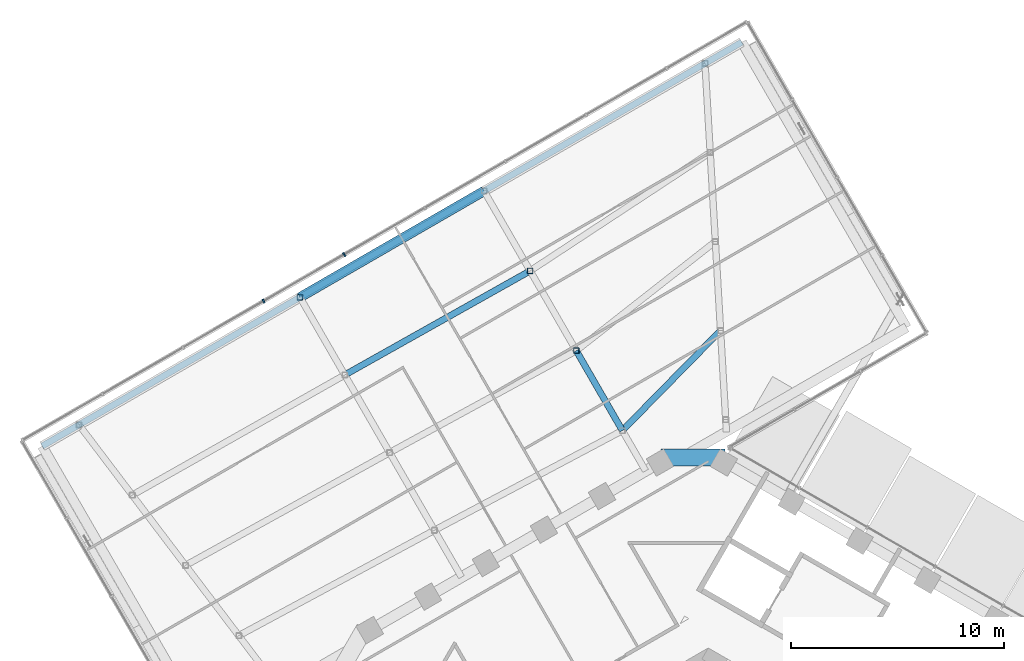
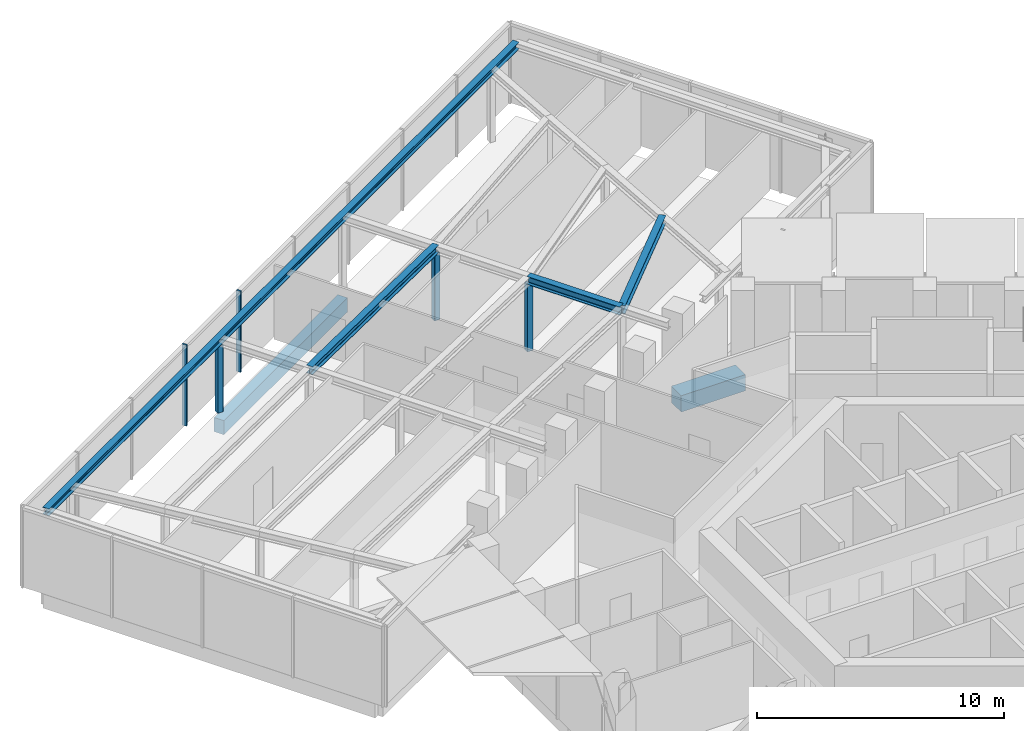
# One storey, part 6 of 27: 6 beams, 5 members, 1 element without a shape of its own.
"""IFC4 building model written with IfcOpenShell, lengths in metres."""

from ifc_helpers import new_model, si_unit, direction, frame, origin, origin_2d, place, context, subcontext, project, spatial, rectangle, hollow_rectangle, i_section, extrude, material, layer, layer_set, material_profile, profile_set, type_object, element, aggregate, save


model = new_model("IFC4")

# Units and contexts
model_context = context("Model", 3, precision=1e-05, world=origin(), true_north=direction((0.0, 1.0)))
body_context = subcontext(model_context, "Body", "Model", "MODEL_VIEW")
ifc_project = project(units=[si_unit("LENGTHUNIT", "METRE"), si_unit("AREAUNIT", "SQUARE_METRE"), si_unit("VOLUMEUNIT", "CUBIC_METRE"), si_unit("PLANEANGLEUNIT", "RADIAN"), si_unit("MASSUNIT", "GRAM", prefix="KILO")], contexts=[model_context])

# Site, building, storey
site_placement = place(None, origin())
site = spatial("IfcSite", under=ifc_project, at=site_placement, CompositionType="ELEMENT")
building_placement = place(site_placement, origin())
building = spatial("IfcBuilding", under=site, at=building_placement, Name="Ayvan Gate Tower", CompositionType="ELEMENT")
storey_placement = place(building_placement, frame((0.0, 0.0, 194.699951171875)))
storey = spatial("IfcBuildingStorey", under=building, at=storey_placement, Name="L52", CompositionType="ELEMENT", Elevation=194.699951171875)

# Beams
ifc_material_1 = material(Name="Concrete C40/50", Category="concrete")
ifc_material_profile_1 = material_profile(ifc_material_1, rectangle(XDim=0.800048828125, YDim=0.800048828125, at=origin_2d()), Name="RC 800x800")
ifc_profile_set_1 = profile_set([ifc_material_profile_1], Name="Concrete C40/50")
beam_type_1 = type_object("IfcBeamType", Name="Corner spandrel beam RC 800x800 C40/50", PredefinedType="BEAM", material=ifc_profile_set_1)
beam_1_placement = place(storey_placement, frame((0.78076171875, 19.938720703125, -0.800048828125), z_axis=(-1.0, 0.0, 0.0), x_axis=(0.0, -1.0, 0.0)))
element("IfcBeam", 1, at=beam_1_placement, inside=storey, type_object=beam_type_1, Name="SB-L52-12", PredefinedType="BEAM", context=body_context, shape_type="SweptSolid", body=[
    extrude(rectangle(XDim=0.800048828125, YDim=0.800048828125, at=origin_2d()), origin(), (0.0, 0.0, 1.0), 3.0),
])
ifc_material_profile_2 = material_profile(ifc_material_1, rectangle(XDim=0.449951171875, YDim=0.699951171875, at=origin_2d()), Name="RC 450x700")
ifc_profile_set_2 = profile_set([ifc_material_profile_2], Name="Concrete C40/50")
beam_type_2 = type_object("IfcBeamType", Name="Sky bar edge beam RC 450x700 C40/50", PredefinedType="BEAM", material=ifc_profile_set_2)
beam_2_placement = place(storey_placement, frame((-19.204833984375, 27.463623046875, -0.75), z_axis=(0.866029062534, 0.499993662806, 0.0), x_axis=(-0.499993662806, 0.866029062534, 0.0)))
element("IfcBeam", 2, at=beam_2_placement, inside=storey, type_object=beam_type_2, Name="EB-B4-L52-5", PredefinedType="BEAM", context=body_context, shape_type="SweptSolid", body=[
    extrude(rectangle(XDim=0.449951171875, YDim=0.699951171875, at=origin_2d()), origin(), (0.0, 0.0, 1.0), 10.000244140625),
])
ifc_material_2 = material(Name="Steel S460ML", Category="steel")
ifc_material_profile_3 = material_profile(ifc_material_2, i_section(OverallWidth=0.300048828125, OverallDepth=0.39990234375, WebThickness=0.013427734375, FlangeThickness=0.02392578125, FilletRadius=0.027099609375, at=origin_2d()), Name="HE 400 B")
ifc_profile_set_3 = profile_set([ifc_material_profile_3], Name="Steel S460ML")
beam_type_3 = type_object("IfcBeamType", Name="Sky bar roof beam B4 HE 400 B", PredefinedType="BEAM", material=ifc_profile_set_3)
beam_3_placement = place(storey_placement, frame((-4.039306640625, 21.1962890625, 3.5), z_axis=(-0.50002621184, 0.866010269842, 0.0), x_axis=(-0.866010269842, -0.50002621184, 0.0)))
element("IfcBeam", 3, at=beam_3_placement, inside=storey, type_object=beam_type_3, Name="RB-B4-SBT4-2-2", PredefinedType="BEAM", context=body_context, shape_type="SweptSolid", body=[
    extrude(i_section(OverallWidth=0.300048828125, OverallDepth=0.39990234375, WebThickness=0.013427734375, FlangeThickness=0.02392578125, FilletRadius=0.027099609375, at=origin_2d()), origin(), (0.0, 0.0, 1.0), 4.336669921875),
])
beam_4_placement = place(storey_placement, frame((0.578125, 25.8984375, 3.5), z_axis=(-0.700650095579, -0.713505041023, 0.0), x_axis=(0.713505041023, -0.700650095579, 0.0)))
element("IfcBeam", 4, at=beam_4_placement, inside=storey, type_object=beam_type_3, Name="RX-B4-12-4", PredefinedType="BEAM", context=body_context, shape_type="SweptSolid", body=[
    extrude(i_section(OverallWidth=0.300048828125, OverallDepth=0.39990234375, WebThickness=0.013427734375, FlangeThickness=0.02392578125, FilletRadius=0.027099609375, at=origin_2d()), origin(), (0.0, 0.0, 1.0), 6.59033203125),
])
beam_5_placement = place(storey_placement, frame((-8.3759765625, 28.707763671875, 3.5), z_axis=(-0.871944293884, -0.489605094298, 0.0), x_axis=(0.489605094298, -0.871944293884, 0.0)))
element("IfcBeam", 5, at=beam_5_placement, inside=storey, type_object=beam_type_3, Name="RX-B4-23-2", PredefinedType="BEAM", context=body_context, shape_type="SweptSolid", body=[
    extrude(i_section(OverallWidth=0.300048828125, OverallDepth=0.39990234375, WebThickness=0.013427734375, FlangeThickness=0.02392578125, FilletRadius=0.027099609375, at=origin_2d()), origin(), (0.0, 0.0, 1.0), 10.0009765625),
])
ifc_material_profile_4 = material_profile(ifc_material_2, i_section(OverallWidth=0.300048828125, OverallDepth=0.340087890625, WebThickness=0.011962890625, FlangeThickness=0.021484375, FilletRadius=0.027099609375, at=origin_2d()), Name="HE 340 B")
ifc_profile_set_4 = profile_set([ifc_material_profile_4], Name="Steel S460ML")
beam_type_4 = type_object("IfcBeamType", Name="Sky bar roof edge beam B4 HE 340 B", PredefinedType="BEAM", material=ifc_profile_set_4)
beam_6_placement = place(storey_placement, frame((-31.3291015625, 20.463623046875, 3.530029296875), z_axis=(0.866025207752, 0.500000339538, 0.0), x_axis=(-0.500000339538, 0.866025207752, 0.0)))
element("IfcBeam", 6, at=beam_6_placement, inside=storey, type_object=beam_type_4, Name="RE-B4-1-3", PredefinedType="BEAM", context=body_context, shape_type="SweptSolid", body=[
    extrude(i_section(OverallWidth=0.300048828125, OverallDepth=0.340087890625, WebThickness=0.011962890625, FlangeThickness=0.021484375, FilletRadius=0.027099609375, at=origin_2d()), origin(), (0.0, 0.0, 1.0), 38.0),
])

# Members
ifc_material_3 = material(Name="Steel S460NH", Category="steel")
ifc_material_profile_5 = material_profile(ifc_material_3, hollow_rectangle(XDim=0.260009765625, YDim=0.260009765625, WallThickness=0.012451171875, InnerFilletRadius=0.012451171875, OuterFilletRadius=0.018798828125, at=origin_2d()), Name="RHS 260x260x12.5")
ifc_profile_set_5 = profile_set([ifc_material_profile_5], Name="Steel S460NH")
member_type_1 = type_object("IfcMemberType", Name="Sky bar roof post B4 RHS 260x260x12.5", PredefinedType="POST", material=ifc_profile_set_5)
for number, where, z_axis, x_axis, name in (
    (7, (-6.207763671875, 24.951904296875, 0.0), (0.0, 0.0, 1.0), (1.0, 0.0, 0.0), "RP-B4-SBT4-2-2"),
    (8, (-8.3759765625, 28.707763671875, 0.0), (0.0, 0.0, 1.0), (1.0, 0.0, 0.0), "RP-B4-SBT4-2-3"),
    (9, (-19.204833984375, 27.463623046875, 0.0), (0.0, 0.0, 1.0), (1.0, 0.0, 0.0), "RP-B4-SBT4-3-4"),
):
    element("IfcMember", number, at=place(storey_placement, frame(where, z_axis=z_axis, x_axis=x_axis)), inside=storey, type_object=member_type_1, Name=name, PredefinedType="POST", context=body_context, shape_type="SweptSolid", body=[
        extrude(hollow_rectangle(XDim=0.260009765625, YDim=0.260009765625, WallThickness=0.012451171875, InnerFilletRadius=0.012451171875, OuterFilletRadius=0.018798828125, at=origin_2d()), origin(), (0.0, 0.0, 1.0), 3.300048828125),
    ])

# Curtain wall, members
ifc_material_4 = material(Name="Bronze anodised aluminium", Category="aluminium")
ifc_layer = layer(ifc_material_4, 0.199951171875)
ifc_layer_set = layer_set([ifc_layer], Name="Bronze anodised aluminium")
curtain_wall_type = type_object("IfcCurtainWallType", Name="Stick curtain wall CW-4", PredefinedType="NOTDEFINED", material=ifc_layer_set)
curtain_wall_placement = place(storey_placement, origin())
curtain_wall = element("IfcCurtainWall", 10, at=curtain_wall_placement, inside=storey, type_object=curtain_wall_type, Name="Stick curtain wall CW-4 L52", PredefinedType="NOTDEFINED")
ifc_material_profile_6 = material_profile(ifc_material_4, rectangle(XDim=0.199951171875, YDim=0.080078125, at=origin_2d()), Name="Stick curtain wall CW-4 mullion 200 x 80")
ifc_profile_set_6 = profile_set([ifc_material_profile_6], Name="Bronze anodised aluminium")
member_type_2 = type_object("IfcMemberType", Name="Stick curtain wall CW-4 mullion 200 x 80", PredefinedType="MULLION", material=ifc_profile_set_6)
member_1_placement = place(storey_placement, frame((-17.120361328125, 29.475341796875, 0.0), z_axis=(0.0, 0.0, 1.0), x_axis=(-0.5, 0.866025403784, 0.0)))
member_1 = element("IfcMember", 11, at=member_1_placement, type_object=member_type_2, Name="CW-4 mullion 6", PredefinedType="MULLION", context=body_context, shape_type="SweptSolid", body=[
    extrude(rectangle(XDim=0.199951171875, YDim=0.080078125, at=origin_2d()), origin(), (0.0, 0.0, 1.0), 4.0),
])
member_2_placement = place(storey_placement, frame((-20.91162109375, 27.286376953125, 0.0), z_axis=(0.0, 0.0, 1.0), x_axis=(-0.5, 0.866025403784, 0.0)))
member_2 = element("IfcMember", 12, at=member_2_placement, type_object=member_type_2, Name="CW-4 mullion 7", PredefinedType="MULLION", context=body_context, shape_type="SweptSolid", body=[
    extrude(rectangle(XDim=0.199951171875, YDim=0.080078125, at=origin_2d()), origin(), (0.0, 0.0, 1.0), 4.0),
])
aggregate(curtain_wall, [member_1, member_2])

save(model, "model.ifc")
